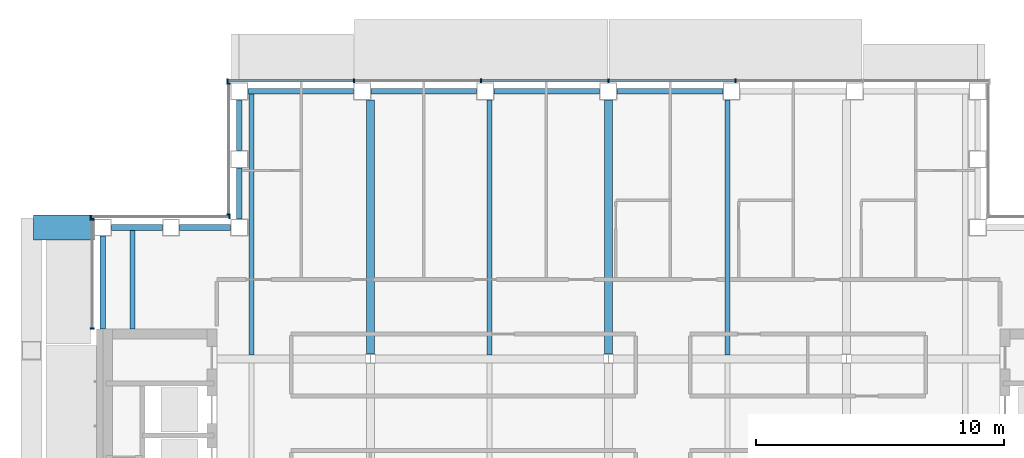
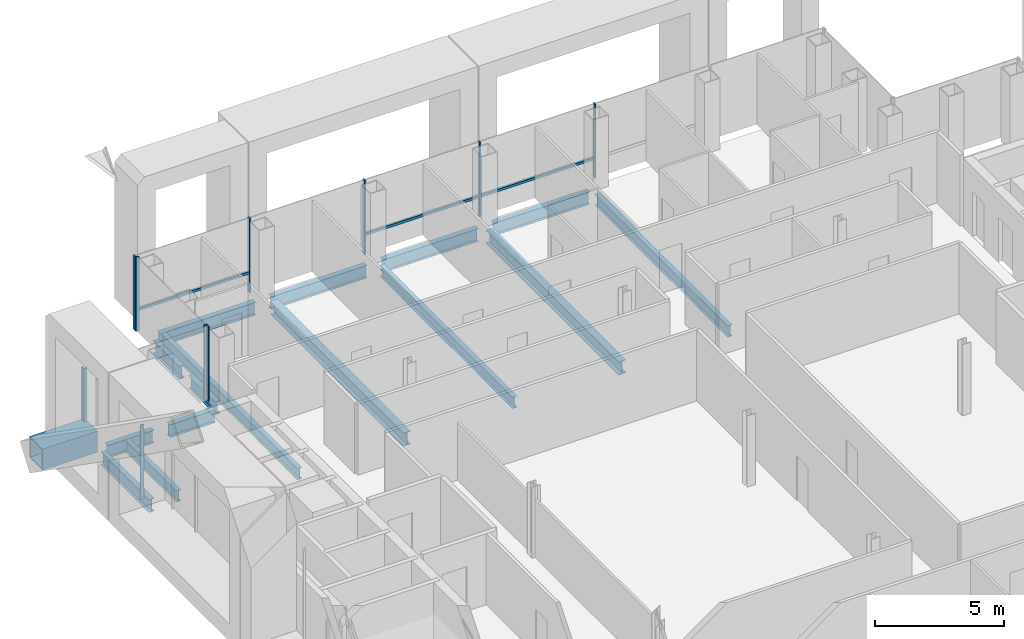
# One storey, part 8 of 21: 16 beams, 14 members, 4 elements without a shape of their own.
"""IFC4 building model written with IfcOpenShell, lengths in metres."""

from ifc_helpers import new_model, si_unit, direction, frame, origin, origin_2d, place, context, subcontext, project, spatial, rectangle, hollow_rectangle, i_section, extrude, material, material_profile, profile_set, type_object, element, aggregate, save


model = new_model("IFC4")

# Units and contexts
model_context = context("Model", 3, precision=1e-05, world=origin(), true_north=direction((0.0, 1.0)))
body_context = subcontext(model_context, "Body", "Model", "MODEL_VIEW")
ifc_project = project(units=[si_unit("LENGTHUNIT", "METRE"), si_unit("AREAUNIT", "SQUARE_METRE"), si_unit("VOLUMEUNIT", "CUBIC_METRE"), si_unit("PLANEANGLEUNIT", "RADIAN"), si_unit("MASSUNIT", "GRAM", prefix="KILO")], contexts=[model_context])

# Site, building, storey
site_placement = place(None, origin())
site = spatial("IfcSite", under=ifc_project, at=site_placement, CompositionType="ELEMENT")
building_placement = place(site_placement, origin())
building = spatial("IfcBuilding", under=site, at=building_placement, Name="Cobrizo Arcos Hotel Tower", CompositionType="ELEMENT")
storey_placement = place(building_placement, frame((0.0, 0.0, 212.0)))
storey = spatial("IfcBuildingStorey", under=building, at=storey_placement, Name="L55", CompositionType="ELEMENT", Elevation=212.0)

# Beam
ifc_material_1 = material(Name="Steel ASTM A572 Grade 50", Category="steel")
ifc_material_profile_1 = material_profile(ifc_material_1, hollow_rectangle(XDim=1.0, YDim=1.0, WallThickness=0.06005859375, at=origin_2d()), Name="BOX 1000X1000X60")
ifc_profile_set_1 = profile_set([ifc_material_profile_1], Name="Steel ASTM A572 Grade 50")
beam_type_1 = type_object("IfcBeamType", Name="BOX 1000X1000X60 brace connector strut", PredefinedType="BEAM", material=ifc_profile_set_1)
beam_1_placement = place(storey_placement, frame((-20.739990234375, 14.89990234375, 0.5), z_axis=(-1.0, 0.0, 0.0), x_axis=(0.0, -1.0, 0.0)))
element("IfcBeam", 1, at=beam_1_placement, inside=storey, type_object=beam_type_1, Name="Perimeter brace stub BS1, zone Z4, west face, offset +14.90 m, L55", PredefinedType="BEAM", context=body_context, shape_type="SweptSolid", body=[
    extrude(hollow_rectangle(XDim=1.0, YDim=1.0, WallThickness=0.06005859375, at=origin_2d()), origin(), (0.0, 0.0, 1.0), 2.455078125),
])

# Curtain wall, members
ifc_material_2 = material(Name="Aluminium 6063-T6 anodised bronze", Category="aluminium")
curtain_wall_type = type_object("IfcCurtainWallType", Name="CW-A guest facade", PredefinedType="NOTDEFINED", material=ifc_material_2)
curtain_wall_1_placement = place(storey_placement, origin())
curtain_wall_1 = element("IfcCurtainWall", 2, at=curtain_wall_1_placement, inside=storey, type_object=curtain_wall_type, Name="CW-A L55 N face", PredefinedType="NOTDEFINED")
ifc_material_profile_2 = material_profile(ifc_material_2, rectangle(XDim=0.14990234375, YDim=0.06005859375, at=origin_2d()), Name="CW-A mullion 150x60")
ifc_profile_set_2 = profile_set([ifc_material_profile_2], Name="Aluminium 6063-T6 anodised bronze")
member_type_1 = type_object("IfcMemberType", Name="CW-A mullion 150x60", PredefinedType="MULLION", material=ifc_profile_set_2)
member_1_placement = place(storey_placement, frame((5.13330078125, 20.824951171875, 0.0), z_axis=(0.0, 0.0, 1.0), x_axis=(0.0, 1.0, 0.0)))
member_1 = element("IfcMember", 3, at=member_1_placement, type_object=member_type_1, Name="CW-A mullion 3", PredefinedType="MULLION", context=body_context, shape_type="SweptSolid", body=[
    extrude(rectangle(XDim=0.14990234375, YDim=0.06005859375, at=origin_2d()), origin(), (0.0, 0.0, 1.0), 3.5),
])
member_2_placement = place(storey_placement, frame((0.0, 20.824951171875, 0.0), z_axis=(0.0, 0.0, 1.0), x_axis=(0.0, 1.0, 0.0)))
member_2 = element("IfcMember", 4, at=member_2_placement, type_object=member_type_1, Name="CW-A mullion 4", PredefinedType="MULLION", context=body_context, shape_type="SweptSolid", body=[
    extrude(rectangle(XDim=0.14990234375, YDim=0.06005859375, at=origin_2d()), origin(), (0.0, 0.0, 1.0), 3.5),
])
member_3_placement = place(storey_placement, frame((-5.13330078125, 20.824951171875, 0.0), z_axis=(0.0, 0.0, 1.0), x_axis=(0.0, 1.0, 0.0)))
member_3 = element("IfcMember", 5, at=member_3_placement, type_object=member_type_1, Name="CW-A mullion 5", PredefinedType="MULLION", context=body_context, shape_type="SweptSolid", body=[
    extrude(rectangle(XDim=0.14990234375, YDim=0.06005859375, at=origin_2d()), origin(), (0.0, 0.0, 1.0), 3.5),
])
member_4_placement = place(storey_placement, frame((-10.2666015625, 20.824951171875, 0.0), z_axis=(0.0, 0.0, 1.0), x_axis=(0.0, 1.0, 0.0)))
member_4 = element("IfcMember", 6, at=member_4_placement, type_object=member_type_1, Name="CW-A mullion 6", PredefinedType="MULLION", context=body_context, shape_type="SweptSolid", body=[
    extrude(rectangle(XDim=0.14990234375, YDim=0.06005859375, at=origin_2d()), origin(), (0.0, 0.0, 1.0), 3.5),
])
member_5_placement = place(storey_placement, frame((-15.3701171875, 20.824951171875, 0.0), z_axis=(0.0, 0.0, 1.0), x_axis=(0.0, 1.0, 0.0)))
member_5 = element("IfcMember", 7, at=member_5_placement, type_object=member_type_1, Name="CW-A mullion 7", PredefinedType="MULLION", context=body_context, shape_type="SweptSolid", body=[
    extrude(rectangle(XDim=0.14990234375, YDim=0.06005859375, at=origin_2d()), origin(), (0.0, 0.0, 1.0), 3.5),
])

curtain_wall_2_placement = place(storey_placement, origin())
curtain_wall_2 = element("IfcCurtainWall", 8, at=curtain_wall_2_placement, inside=storey, type_object=curtain_wall_type, Name="CW-A L55 W face", PredefinedType="NOTDEFINED")
member_6_placement = place(storey_placement, frame((-15.324951171875, 20.719970703125, 0.0), z_axis=(0.0, 0.0, 1.0), x_axis=(-1.0, 0.0, 0.0)))
member_6 = element("IfcMember", 9, at=member_6_placement, type_object=member_type_1, Name="CW-A mullion 1", PredefinedType="MULLION", context=body_context, shape_type="SweptSolid", body=[
    extrude(rectangle(XDim=0.14990234375, YDim=0.06005859375, at=origin_2d()), origin(), (0.0, 0.0, 1.0), 3.5),
])
member_7_placement = place(storey_placement, frame((-15.324951171875, 15.429931640625, 0.0), z_axis=(0.0, 0.0, 1.0), x_axis=(-1.0, 0.0, 0.0)))
member_7 = element("IfcMember", 10, at=member_7_placement, type_object=member_type_1, Name="CW-A mullion 2", PredefinedType="MULLION", context=body_context, shape_type="SweptSolid", body=[
    extrude(rectangle(XDim=0.14990234375, YDim=0.06005859375, at=origin_2d()), origin(), (0.0, 0.0, 1.0), 3.5),
])
aggregate(curtain_wall_2, [member_6, member_7])

curtain_wall_3_placement = place(storey_placement, origin())
curtain_wall_3 = element("IfcCurtainWall", 11, at=curtain_wall_3_placement, inside=storey, type_object=curtain_wall_type, Name="CW-A L55 N face", PredefinedType="NOTDEFINED")
member_8_placement = place(storey_placement, frame((-15.280029296875, 15.324951171875, 0.0), z_axis=(0.0, 0.0, 1.0), x_axis=(0.0, 1.0, 0.0)))
member_8 = element("IfcMember", 12, at=member_8_placement, type_object=member_type_1, Name="CW-A mullion 1", PredefinedType="MULLION", context=body_context, shape_type="SweptSolid", body=[
    extrude(rectangle(XDim=0.14990234375, YDim=0.06005859375, at=origin_2d()), origin(), (0.0, 0.0, 1.0), 3.5),
])
member_9_placement = place(storey_placement, frame((-20.8701171875, 15.324951171875, 0.0), z_axis=(0.0, 0.0, 1.0), x_axis=(0.0, 1.0, 0.0)))
member_9 = element("IfcMember", 13, at=member_9_placement, type_object=member_type_1, Name="CW-A mullion 2", PredefinedType="MULLION", context=body_context, shape_type="SweptSolid", body=[
    extrude(rectangle(XDim=0.14990234375, YDim=0.06005859375, at=origin_2d()), origin(), (0.0, 0.0, 1.0), 3.5),
])
aggregate(curtain_wall_3, [member_8, member_9])

curtain_wall_4_placement = place(storey_placement, origin())
curtain_wall_4 = element("IfcCurtainWall", 14, at=curtain_wall_4_placement, inside=storey, type_object=curtain_wall_type, Name="CW-A L55 W face", PredefinedType="NOTDEFINED")
member_10_placement = place(storey_placement, frame((-20.824951171875, 15.219970703125, 0.0), z_axis=(0.0, 0.0, 1.0), x_axis=(-1.0, 0.0, 0.0)))
member_10 = element("IfcMember", 15, at=member_10_placement, type_object=member_type_1, Name="CW-A mullion 1", PredefinedType="MULLION", context=body_context, shape_type="SweptSolid", body=[
    extrude(rectangle(XDim=0.14990234375, YDim=0.06005859375, at=origin_2d()), origin(), (0.0, 0.0, 1.0), 3.5),
])
member_11_placement = place(storey_placement, frame((-20.824951171875, 10.830078125, 0.0), z_axis=(0.0, 0.0, 1.0), x_axis=(-1.0, 0.0, 0.0)))
member_11 = element("IfcMember", 16, at=member_11_placement, type_object=member_type_1, Name="CW-A mullion 2", PredefinedType="MULLION", context=body_context, shape_type="SweptSolid", body=[
    extrude(rectangle(XDim=0.14990234375, YDim=0.06005859375, at=origin_2d()), origin(), (0.0, 0.0, 1.0), 3.5),
])
aggregate(curtain_wall_4, [member_10, member_11])

# Member
ifc_material_profile_3 = material_profile(ifc_material_2, rectangle(XDim=0.10009765625, YDim=0.1201171875, at=origin_2d()), Name="CW-A transom 120x100")
ifc_profile_set_3 = profile_set([ifc_material_profile_3], Name="Aluminium 6063-T6 anodised bronze")
member_type_2 = type_object("IfcMemberType", Name="CW-A transom 120x100", PredefinedType="USERDEFINED", material=ifc_profile_set_3)
member_12_placement = place(storey_placement, frame((5.103271484375, 20.824951171875, 0.929931640625), z_axis=(-1.0, 0.0, 0.0), x_axis=(0.0, -1.0, 0.0)))
member_12 = element("IfcMember", 17, at=member_12_placement, type_object=member_type_2, Name="CW-A transom 1854", ObjectType="TRANSOM", PredefinedType="USERDEFINED", context=body_context, shape_type="SweptSolid", body=[
    extrude(rectangle(XDim=0.10009765625, YDim=0.1201171875, at=origin_2d()), origin(), (0.0, 0.0, 1.0), 5.0732421875),
])

member_13_placement = place(storey_placement, frame((-0.030029296875, 20.824951171875, 0.929931640625), z_axis=(-1.0, 0.0, 0.0), x_axis=(0.0, -1.0, 0.0)))
member_13 = element("IfcMember", 18, at=member_13_placement, type_object=member_type_2, Name="CW-A transom 1855", ObjectType="TRANSOM", PredefinedType="USERDEFINED", context=body_context, shape_type="SweptSolid", body=[
    extrude(rectangle(XDim=0.10009765625, YDim=0.1201171875, at=origin_2d()), origin(), (0.0, 0.0, 1.0), 5.0732421875),
])

member_14_placement = place(storey_placement, frame((-10.296630859375, 20.824951171875, 0.929931640625), z_axis=(-1.0, 0.0, 0.0), x_axis=(0.0, -1.0, 0.0)))
member_14 = element("IfcMember", 19, at=member_14_placement, type_object=member_type_2, Name="CW-A transom 1857", ObjectType="TRANSOM", PredefinedType="USERDEFINED", context=body_context, shape_type="SweptSolid", body=[
    extrude(rectangle(XDim=0.10009765625, YDim=0.1201171875, at=origin_2d()), origin(), (0.0, 0.0, 1.0), 5.04345703125),
])

aggregate(curtain_wall_1, [member_1, member_2, member_3, member_4, member_5, member_12, member_13, member_14])

# Beams
ifc_material_3 = material(Name="Steel ASTM A992 Grade 50", Category="steel")
ifc_material_profile_4 = material_profile(ifc_material_3, i_section(OverallWidth=0.209228515625, OverallDepth=0.533447265625, WebThickness=0.01025390625, FlangeThickness=0.015625, at=origin_2d()), Name="W21X62")
ifc_profile_set_4 = profile_set([ifc_material_profile_4], Name="Steel ASTM A992 Grade 50")
beam_type_2 = type_object("IfcBeamType", Name="W21X62 joist", PredefinedType="JOIST", material=ifc_profile_set_4)
beam_2_placement = place(storey_placement, frame((-19.199951171875, 10.81005859375, -0.416748046875), z_axis=(0.0, 1.0, 0.0), x_axis=(-1.0, 0.0, 0.0)))
element("IfcBeam", 20, at=beam_2_placement, inside=storey, type_object=beam_type_2, Name="Floor joist J1, L55, no. 002", PredefinedType="JOIST", context=body_context, shape_type="SweptSolid", body=[
    extrude(i_section(OverallWidth=0.209228515625, OverallDepth=0.533447265625, WebThickness=0.01025390625, FlangeThickness=0.015625, at=origin_2d()), origin(), (0.0, 0.0, 1.0), 4.0),
])
beam_3_placement = place(storey_placement, frame((-14.39990234375, 9.763916015625, -0.416748046875), z_axis=(0.0, 1.0, 0.0), x_axis=(-1.0, 0.0, 0.0)))
element("IfcBeam", 21, at=beam_3_placement, inside=storey, type_object=beam_type_2, Name="Floor joist J1, L55, no. 006", PredefinedType="JOIST", context=body_context, shape_type="SweptSolid", body=[
    extrude(i_section(OverallWidth=0.209228515625, OverallDepth=0.533447265625, WebThickness=0.01025390625, FlangeThickness=0.015625, at=origin_2d()), origin(), (0.0, 0.0, 1.0), 10.546142578125),
])
for number, where, z_axis, x_axis, name in (
    (22, (-4.800048828125, 9.763916015625, -0.416748046875), (0.0, 1.0, 0.0), (-1.0, 0.0, 0.0), "Floor joist J1, L55, no. 010"),
    (23, (4.800048828125, 9.763916015625, -0.416748046875), (0.0, 1.0, 0.0), (-1.0, 0.0, 0.0), "Floor joist J1, L55, no. 014"),
):
    element("IfcBeam", number, at=place(storey_placement, frame(where, z_axis=z_axis, x_axis=x_axis)), inside=storey, type_object=beam_type_2, Name=name, PredefinedType="JOIST", context=body_context, shape_type="SweptSolid", body=[
        extrude(i_section(OverallWidth=0.209228515625, OverallDepth=0.533447265625, WebThickness=0.01025390625, FlangeThickness=0.015625, at=origin_2d()), origin(), (0.0, 0.0, 1.0), 10.2861328125),
    ])
ifc_material_profile_5 = material_profile(ifc_material_3, i_section(OverallWidth=0.32763671875, OverallDepth=0.622314453125, WebThickness=0.015380859375, FlangeThickness=0.0244140625, at=origin_2d()), Name="W24X131")
ifc_profile_set_5 = profile_set([ifc_material_profile_5], Name="Steel ASTM A992 Grade 50")
beam_type_3 = type_object("IfcBeamType", Name="W24X131 girder", PredefinedType="BEAM", material=ifc_profile_set_5)
for number, where, z_axis, x_axis, name in (
    (24, (-9.60009765625, 9.78662109375, -0.461181640625), (0.0, 1.0, 0.0), (-1.0, 0.0, 0.0), "Floor girder G1, L55, no. 016"),
    (25, (0.0, 9.78662109375, -0.461181640625), (0.0, 1.0, 0.0), (-1.0, 0.0, 0.0), "Floor girder G1, L55, no. 020"),
):
    element("IfcBeam", number, at=place(storey_placement, frame(where, z_axis=z_axis, x_axis=x_axis)), inside=storey, type_object=beam_type_3, Name=name, PredefinedType="BEAM", context=body_context, shape_type="SweptSolid", body=[
        extrude(i_section(OverallWidth=0.32763671875, OverallDepth=0.622314453125, WebThickness=0.015380859375, FlangeThickness=0.0244140625, at=origin_2d()), origin(), (0.0, 0.0, 1.0), 10.263427734375),
    ])
ifc_material_profile_6 = material_profile(ifc_material_3, i_section(OverallWidth=0.228271484375, OverallDepth=0.607177734375, WebThickness=0.01123046875, FlangeThickness=0.017333984375, at=origin_2d()), Name="W24X76")
ifc_profile_set_6 = profile_set([ifc_material_profile_6], Name="Steel ASTM A992 Grade 50")
beam_type_4 = type_object("IfcBeamType", Name="W24X76 spandrel", PredefinedType="SPANDREL", material=ifc_profile_set_6)
for number, where, z_axis, x_axis, name in (
    (26, (4.616943359375, 20.39990234375, -0.45361328125), (-1.0, 0.0, 0.0), (0.0, -1.0, 0.0), "Spandrel beam W24X76, L55, no. 019"),
    (27, (-0.35009765625, 20.39990234375, -0.45361328125), (-1.0, 0.0, 0.0), (0.0, -1.0, 0.0), "Spandrel beam W24X76, L55, no. 020"),
):
    element("IfcBeam", number, at=place(storey_placement, frame(where, z_axis=z_axis, x_axis=x_axis)), inside=storey, type_object=beam_type_4, Name=name, PredefinedType="SPANDREL", context=body_context, shape_type="SweptSolid", body=[
        extrude(i_section(OverallWidth=0.228271484375, OverallDepth=0.607177734375, WebThickness=0.01123046875, FlangeThickness=0.017333984375, at=origin_2d()), origin(), (0.0, 0.0, 1.0), 4.266845703125),
    ])
beam_4_placement = place(storey_placement, frame((-5.31689453125, 20.39990234375, -0.45361328125), z_axis=(-1.0, 0.0, 0.0), x_axis=(0.0, -1.0, 0.0)))
element("IfcBeam", 28, at=beam_4_placement, inside=storey, type_object=beam_type_4, Name="Spandrel beam W24X76, L55, no. 021", PredefinedType="SPANDREL", context=body_context, shape_type="SweptSolid", body=[
    extrude(i_section(OverallWidth=0.228271484375, OverallDepth=0.607177734375, WebThickness=0.01123046875, FlangeThickness=0.017333984375, at=origin_2d()), origin(), (0.0, 0.0, 1.0), 4.26611328125),
])
beam_5_placement = place(storey_placement, frame((-10.282958984375, 20.39990234375, -0.45361328125), z_axis=(-1.0, 0.0, 0.0), x_axis=(0.0, -1.0, 0.0)))
element("IfcBeam", 29, at=beam_5_placement, inside=storey, type_object=beam_type_4, Name="Spandrel beam W24X76, L55, no. 022", PredefinedType="SPANDREL", context=body_context, shape_type="SweptSolid", body=[
    extrude(i_section(OverallWidth=0.228271484375, OverallDepth=0.607177734375, WebThickness=0.01123046875, FlangeThickness=0.017333984375, at=origin_2d()), origin(), (0.0, 0.0, 1.0), 4.26708984375),
])
for number, where, z_axis, x_axis, name in (
    (30, (-14.89990234375, 20.050048828125, -0.45361328125), (0.0, -1.0, 0.0), (1.0, 0.0, 0.0), "Spandrel beam W24X76, L55, no. 023"),
    (31, (-14.89990234375, 17.300048828125, -0.45361328125), (0.0, -1.0, 0.0), (1.0, 0.0, 0.0), "Spandrel beam W24X76, L55, no. 024"),
    (32, (-15.25, 14.89990234375, -0.45361328125), (-1.0, 0.0, 0.0), (0.0, -1.0, 0.0), "Spandrel beam W24X76, L55, no. 025"),
    (33, (-18.0, 14.89990234375, -0.45361328125), (-1.0, 0.0, 0.0), (0.0, -1.0, 0.0), "Spandrel beam W24X76, L55, no. 026"),
):
    element("IfcBeam", number, at=place(storey_placement, frame(where, z_axis=z_axis, x_axis=x_axis)), inside=storey, type_object=beam_type_4, Name=name, PredefinedType="SPANDREL", context=body_context, shape_type="SweptSolid", body=[
        extrude(i_section(OverallWidth=0.228271484375, OverallDepth=0.607177734375, WebThickness=0.01123046875, FlangeThickness=0.017333984375, at=origin_2d()), origin(), (0.0, 0.0, 1.0), 2.050048828125),
    ])
beam_6_placement = place(storey_placement, frame((-20.39990234375, 14.550048828125, -0.45361328125), z_axis=(0.0, -1.0, 0.0), x_axis=(1.0, 0.0, 0.0)))
element("IfcBeam", 34, at=beam_6_placement, inside=storey, type_object=beam_type_4, Name="Spandrel beam W24X76, L55, no. 027", PredefinedType="SPANDREL", context=body_context, shape_type="SweptSolid", body=[
    extrude(i_section(OverallWidth=0.228271484375, OverallDepth=0.607177734375, WebThickness=0.01123046875, FlangeThickness=0.017333984375, at=origin_2d()), origin(), (0.0, 0.0, 1.0), 3.739990234375),
])

save(model, "model.ifc")
